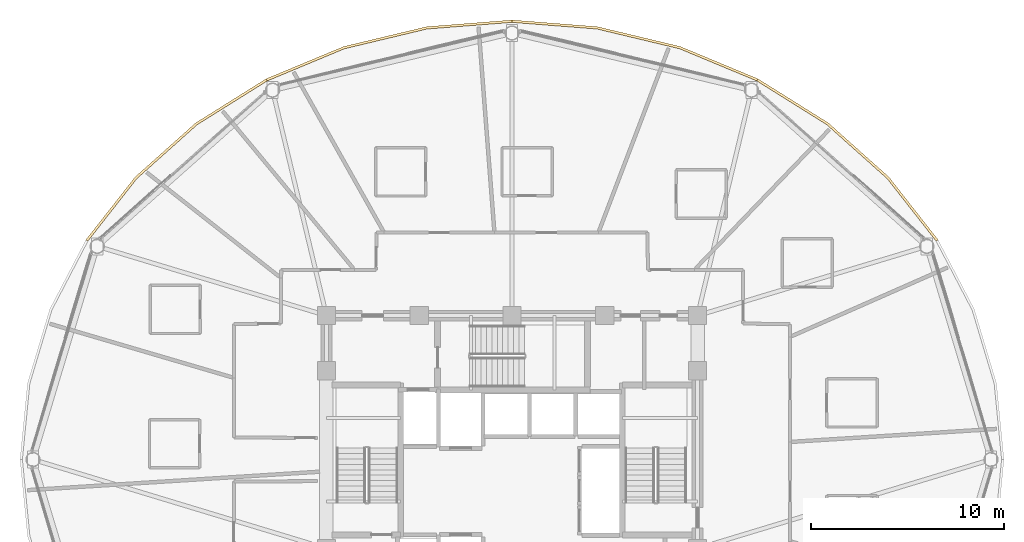
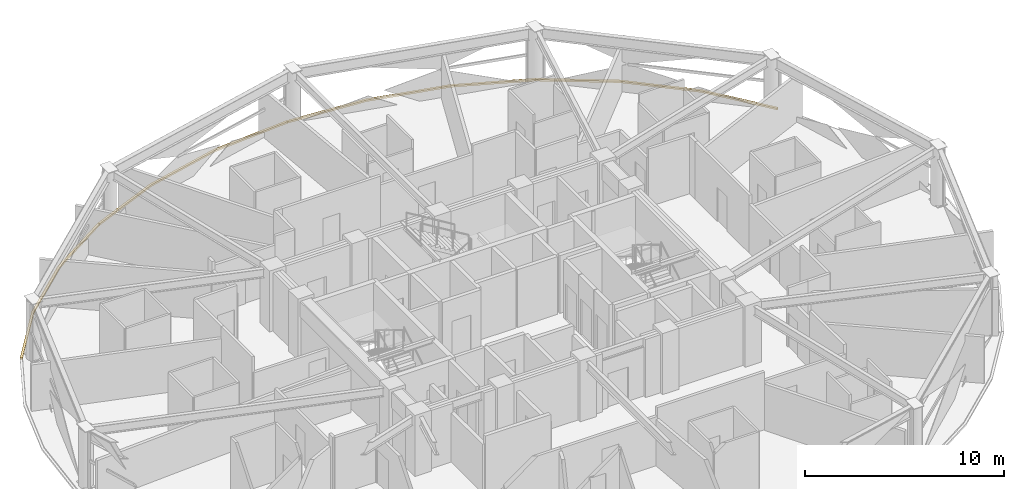
# One storey, part 30 of 30: 4 coverings.
"""IFC4 building model written with IfcOpenShell, lengths in metres."""

from ifc_helpers import new_model, si_unit, direction, frame, origin, place, context, subcontext, project, spatial, polyline, outline, extrude, material, layer, layer_set, type_object, element, save


model = new_model("IFC4")

# Units and contexts
model_context = context("Model", 3, precision=1e-05, world=origin(), true_north=direction((0.0, 1.0)))
body_context = subcontext(model_context, "Body", "Model", "MODEL_VIEW")
ifc_project = project(units=[si_unit("LENGTHUNIT", "METRE"), si_unit("AREAUNIT", "SQUARE_METRE"), si_unit("VOLUMEUNIT", "CUBIC_METRE"), si_unit("PLANEANGLEUNIT", "RADIAN"), si_unit("MASSUNIT", "GRAM", prefix="KILO")], contexts=[model_context])

# Site, building, storey
site_placement = place(None, origin())
site = spatial("IfcSite", under=ifc_project, at=site_placement, CompositionType="ELEMENT")
building_placement = place(site_placement, origin())
building = spatial("IfcBuilding", under=site, at=building_placement, Name="Vantalir Tower", CompositionType="ELEMENT")
storey_placement = place(building_placement, frame((0.0, 0.0, 153.449951171875)))
storey = spatial("IfcBuildingStorey", under=building, at=storey_placement, Name="L38", CompositionType="ELEMENT", Elevation=153.449951171875)

# Coverings
ifc_material = material(Name="Anodised champagne aluminium sill fascia", Category="aluminium")
ifc_layer = layer(ifc_material, 0.125)
ifc_layer_set = layer_set([ifc_layer], Name="Anodised champagne aluminium sill fascia")
covering_type = type_object("IfcCoveringType", Name="COV-SLAB-FASCIA-125", PredefinedType="CLADDING", material=ifc_layer_set)
covering_1_placement = place(storey_placement, frame((0.0, 0.0, -0.179931640625)))
element("IfcCovering", 1, at=covering_1_placement, inside=storey, type_object=covering_type, Name="L38 Perimeter Slab-Edge Sill Fascia 02", PredefinedType="CLADDING", context=body_context, shape_type="SweptSolid", body=[
    extrude(outline(polyline([(53.547119140625, 36.3720703125), (51.001953125, 39.6201171875), (47.864013671875, 42.423095703125), (44.22900390625, 44.697021484375), (44.1669921875, 44.589111328125), (47.783935546875, 42.326904296875), (50.906005859375, 39.5390625), (53.43896484375, 36.30908203125), (53.547119140625, 36.3720703125)])), origin(), (0.0, 0.0, 1.0), 0.10498046875),
])
covering_2_placement = place(storey_placement, frame((0.0, 0.0, -0.179931640625)))
element("IfcCovering", 2, at=covering_2_placement, inside=storey, type_object=covering_type, Name="L38 Perimeter Slab-Edge Sill Fascia 03", PredefinedType="CLADDING", context=body_context, shape_type="SweptSolid", body=[
    extrude(outline(polyline([(44.22900390625, 44.697021484375), (40.20703125, 46.3720703125), (35.9208984375, 47.39794921875), (31.5, 47.743896484375), (31.5, 47.618896484375), (35.89892578125, 47.27490234375), (40.1640625, 46.2548828125), (44.1669921875, 44.589111328125), (44.22900390625, 44.697021484375)])), origin(), (0.0, 0.0, 1.0), 0.10498046875),
])
covering_3_placement = place(storey_placement, frame((0.0, 0.0, -0.179931640625)))
element("IfcCovering", 3, at=covering_3_placement, inside=storey, type_object=covering_type, Name="L38 Perimeter Slab-Edge Sill Fascia 04", PredefinedType="CLADDING", context=body_context, shape_type="SweptSolid", body=[
    extrude(outline(polyline([(31.5, 47.743896484375), (27.0791015625, 47.39794921875), (22.79296875, 46.3720703125), (18.77099609375, 44.697021484375), (18.833984375, 44.589111328125), (22.8359375, 46.2548828125), (27.10107421875, 47.27490234375), (31.5, 47.618896484375), (31.5, 47.743896484375)])), origin(), (0.0, 0.0, 1.0), 0.10498046875),
])
covering_4_placement = place(storey_placement, frame((0.0, 0.0, -0.179931640625)))
element("IfcCovering", 4, at=covering_4_placement, inside=storey, type_object=covering_type, Name="L38 Perimeter Slab-Edge Sill Fascia 05", PredefinedType="CLADDING", context=body_context, shape_type="SweptSolid", body=[
    extrude(outline(polyline([(18.77099609375, 44.697021484375), (15.135986328125, 42.423095703125), (11.998046875, 39.6201171875), (9.452880859375, 36.3720703125), (9.56103515625, 36.30908203125), (12.093994140625, 39.5390625), (15.216064453125, 42.326904296875), (18.833984375, 44.589111328125), (18.77099609375, 44.697021484375)])), origin(), (0.0, 0.0, 1.0), 0.10498046875),
])

save(model, "model.ifc")
